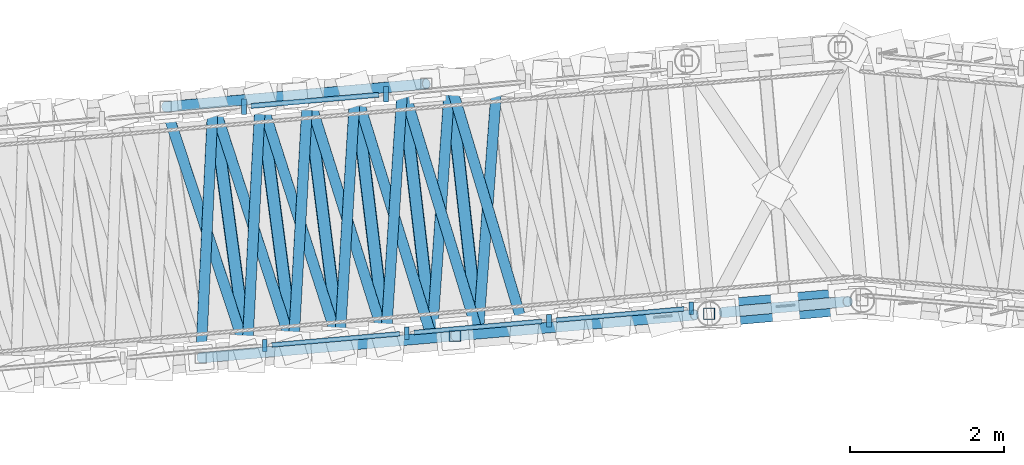
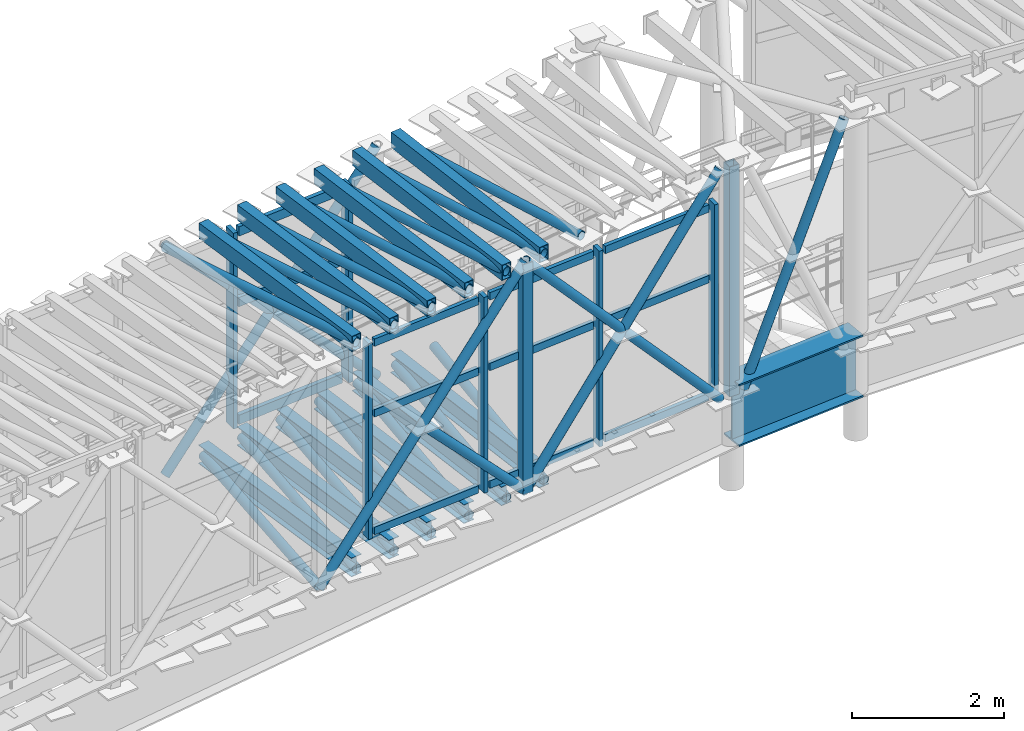
# One storey, part 53 of 144: 49 members, 7 beams, 2 elements without a shape of their own.
"""IFC4 building model written with IfcOpenShell, lengths in metres."""

from ifc_helpers import new_model, si_unit, direction, frame, origin, origin_2d, place, context, subcontext, project, spatial, rectangle, hollow_rectangle, hollow_circle, i_section, extrude, material, material_profile, profile_set, type_object, element, aggregate, save


model = new_model("IFC4")

# Units and contexts
model_context = context("Model", 3, precision=1e-05, world=origin(), true_north=direction((0.0, 1.0)))
body_context = subcontext(model_context, "Body", "Model", "MODEL_VIEW")
ifc_project = project(units=[si_unit("LENGTHUNIT", "METRE"), si_unit("AREAUNIT", "SQUARE_METRE"), si_unit("VOLUMEUNIT", "CUBIC_METRE"), si_unit("PLANEANGLEUNIT", "RADIAN"), si_unit("MASSUNIT", "GRAM", prefix="KILO")], contexts=[model_context])

# Site, building, storey
site_placement = place(None, origin())
site = spatial("IfcSite", under=ifc_project, at=site_placement, CompositionType="ELEMENT")
building_placement = place(site_placement, origin())
building = spatial("IfcBuilding", under=site, at=building_placement, Name="Cinderbank Siding Concert Hall", CompositionType="ELEMENT")
storey_placement = place(building_placement, frame((0.0, 0.0, 5.39990234375)))
storey = spatial("IfcBuildingStorey", under=building, at=storey_placement, Name="L02", CompositionType="ELEMENT", Elevation=5.39990234375)

# Beam
ifc_material_1 = material(Name="Structural steel welded plate section AS/NZS 3679.2 / AS/NZS 3678 Grade 350 (340 MPa)", Category="steel")
ifc_material_profile_1 = material_profile(ifc_material_1, i_section(OverallWidth=0.35009765625, OverallDepth=1.0, WebThickness=0.013916015625, FlangeThickness=0.02490234375, at=origin_2d()), Name="1000WB258", Category="LoadBearing")
ifc_profile_set_1 = profile_set([ifc_material_profile_1], Name="Structural steel welded plate section AS/NZS 3679.2 / AS/NZS 3678 Grade 350 (340 MPa)")
beam_type_1 = type_object("IfcBeamType", Name="BM-WB1000 1000WB258", PredefinedType="BEAM", material=ifc_profile_set_1)
beam_1_placement = place(storey_placement, frame((77.489013671875, 98.97412109375, 1.2001953125), z_axis=(0.996213967966, 0.086935205931, 0.0), x_axis=(-0.086935205931, 0.996213967966, 0.0)))
element("IfcBeam", 1, at=beam_1_placement, inside=storey, type_object=beam_type_1, Name="L02 Beam BM-WB1000 #1954", PredefinedType="BEAM", context=body_context, shape_type="SweptSolid", body=[
    extrude(i_section(OverallWidth=0.35009765625, OverallDepth=1.0, WebThickness=0.013916015625, FlangeThickness=0.02490234375, at=origin_2d()), origin(), (0.0, 0.0, 1.0), 1.99951171875),
])

# Members
ifc_material_2 = material(Name="Structural steel hollow section AS/NZS 1163 Grade C350L0 (350 MPa)", Category="steel")
ifc_material_profile_2 = material_profile(ifc_material_2, hollow_circle(Radius=0.06982421875, WallThickness=0.00634765625, at=origin_2d()), Name="139.7x6.4CHS", Category="LoadBearing")
ifc_profile_set_2 = profile_set([ifc_material_profile_2], Name="Structural steel hollow section AS/NZS 1163 Grade C350L0 (350 MPa)")
member_type_1 = type_object("IfcMemberType", Name="BR-CHS139 139.7x6.4CHS Roof Truss", PredefinedType="BRACE", material=ifc_profile_set_2)
member_1_placement = place(storey_placement, frame((70.42138671875, 101.66357421875, 0.989990234375), z_axis=(0.651113250965, 0.057350486563, 0.756810713527), x_axis=(-0.087740964064, 0.99614332464, 0.0)))
element("IfcMember", 2, at=member_1_placement, inside=storey, type_object=member_type_1, Name="L02 Diagonal Brace BR-CHS139 #BRDL-BR-CHS139-L02-0146", PredefinedType="BRACE", context=body_context, shape_type="SweptSolid", body=[
    extrude(hollow_circle(Radius=0.06982421875, WallThickness=0.00634765625, at=origin_2d()), origin(), (0.0, 0.0, 1.0), 5.206298828125),
])
for number, where, z_axis, x_axis, name in (
    (3, (70.42138671875, 101.66357421875, 4.690185546875), (0.698491083288, 0.061548199803, -0.712967057913), (-0.087775836735, 0.996140252417, 0.0), "L02 Diagonal Brace BR-CHS139 #BRDL-BR-CHS139-L02-0147"),
    (4, (72.126953125, 101.813720703125, 2.949462890625), (0.69843923657, 0.06155255194, -0.713017472556), (-0.087788461668, 0.996139139879, 0.0), "L02 Diagonal Brace BR-CHS139 #BRDL-BR-CHS139-L02-0147-S15"),
):
    element("IfcMember", number, at=place(storey_placement, frame(where, z_axis=z_axis, x_axis=x_axis)), inside=storey, type_object=member_type_1, Name=name, PredefinedType="BRACE", context=body_context, shape_type="SweptSolid", body=[
        extrude(hollow_circle(Radius=0.06982421875, WallThickness=0.00634765625, at=origin_2d()), origin(), (0.0, 0.0, 1.0), 2.41162109375),
    ])
member_2_placement = place(storey_placement, frame((70.8798828125, 98.39990234375, 0.989990234375), z_axis=(0.641614886758, 0.055743137325, 0.764998718778), x_axis=(-0.086553392654, 0.996247213406, 0.0)))
element("IfcMember", 5, at=member_2_placement, inside=storey, type_object=member_type_1, Name="L02 Diagonal Brace BR-CHS139 #BRDR-BR-CHS139-L02-0158", PredefinedType="BRACE", context=body_context, shape_type="SweptSolid", body=[
    extrude(hollow_circle(Radius=0.06982421875, WallThickness=0.00634765625, at=origin_2d()), origin(), (0.0, 0.0, 1.0), 5.150634765625),
])
member_3_placement = place(storey_placement, frame((72.54248046875, 98.54443359375, 2.94921875), z_axis=(0.68945680998, 0.059863630245, -0.721848774291), x_axis=(-0.086501782695, 0.996251695903, 0.0)))
element("IfcMember", 6, at=member_3_placement, inside=storey, type_object=member_type_1, Name="L02 Diagonal Brace BR-CHS139 #BRDR-BR-CHS139-L02-0159-S19", PredefinedType="BRACE", context=body_context, shape_type="SweptSolid", body=[
    extrude(hollow_circle(Radius=0.06982421875, WallThickness=0.00634765625, at=origin_2d()), origin(), (0.0, 0.0, 1.0), 2.3818359375),
])
member_4_placement = place(storey_placement, frame((74.1845703125, 98.68701171875, 1.22998046875), z_axis=(0.620626566739, 0.053891397801, 0.782252121698), x_axis=(-0.086508326761, 0.996251127679, 0.0)))
element("IfcMember", 7, at=member_4_placement, inside=storey, type_object=member_type_1, Name="L02 Diagonal Brace BR-CHS139 #BRDR-BR-CHS139-L02-0161", PredefinedType="BRACE", context=body_context, shape_type="SweptSolid", body=[
    extrude(hollow_circle(Radius=0.06982421875, WallThickness=0.00634765625, at=origin_2d()), origin(), (0.0, 0.0, 1.0), 5.01953125),
])
for number, where, z_axis, x_axis, name in (
    (8, (74.1845703125, 98.68701171875, 4.93017578125), (0.66650225833, 0.057828717792, -0.743256738308), (-0.086439721628, 0.996257082547, 0.0), "L02 Diagonal Brace BR-CHS139 #BRDR-BR-CHS139-L02-0162"),
    (9, (75.752197265625, 98.822998046875, 3.18212890625), (0.666498202154, 0.057933508343, -0.743252215023), (-0.086595707282, 0.99624353623, 0.0), "L02 Diagonal Brace BR-CHS139 #BRDR-BR-CHS139-L02-0162-S20"),
):
    element("IfcMember", number, at=place(storey_placement, frame(where, z_axis=z_axis, x_axis=x_axis)), inside=storey, type_object=member_type_1, Name=name, PredefinedType="BRACE", context=body_context, shape_type="SweptSolid", body=[
        extrude(hollow_circle(Radius=0.06982421875, WallThickness=0.00634765625, at=origin_2d()), origin(), (0.0, 0.0, 1.0), 2.322021484375),
    ])
member_5_placement = place(storey_placement, frame((70.8798828125, 98.39990234375, 1.02001953125), z_axis=(0.047550557932, 0.998782198302, 0.013155409382), x_axis=(-0.99886863654, 0.04755467313, 0.0)))
element("IfcMember", 10, at=member_5_placement, inside=storey, type_object=member_type_1, Name="L02 Diagonal Brace BR-CHS139 #BRST-BR-CHS139-L02-0195", PredefinedType="BRACE", context=body_context, shape_type="SweptSolid", body=[
    extrude(hollow_circle(Radius=0.06982421875, WallThickness=0.00634765625, at=origin_2d()), origin(), (0.0, 0.0, 1.0), 3.322021484375),
])
member_6_placement = place(storey_placement, frame((70.42138671875, 101.66357421875, 4.66015625), z_axis=(0.313233095213, -0.949589337275, 0.01284984811), x_axis=(0.949667744414, 0.313258958721, 0.0)))
element("IfcMember", 11, at=member_6_placement, inside=storey, type_object=member_type_1, Name="L02 Diagonal Brace BR-CHS139 #BRXR-BR-CHS139-L02-0196", PredefinedType="BRACE", context=body_context, shape_type="SweptSolid", body=[
    extrude(hollow_circle(Radius=0.06982421875, WallThickness=0.00634765625, at=origin_2d()), origin(), (0.0, 0.0, 1.0), 3.3818359375),
])
member_7_placement = place(storey_placement, frame((71.480712890625, 98.4521484375, 1.063720703125), z_axis=(0.052134204534, 0.998553587961, 0.013143693819), x_axis=(-0.998639852544, 0.052138708383, 0.0)))
element("IfcMember", 12, at=member_7_placement, inside=storey, type_object=member_type_1, Name="L02 Diagonal Brace BR-CHS139 #BRST-BR-CHS139-L02-0198", PredefinedType="BRACE", context=body_context, shape_type="SweptSolid", body=[
    extrude(hollow_circle(Radius=0.06982421875, WallThickness=0.00634765625, at=origin_2d()), origin(), (0.0, 0.0, 1.0), 3.324951171875),
])
member_8_placement = place(storey_placement, frame((71.037841796875, 101.7177734375, 4.70361328125), z_axis=(0.308887033284, -0.95101079113, 0.012933515546), x_axis=(0.951090341667, 0.308912871192, 0.0)))
element("IfcMember", 13, at=member_8_placement, inside=storey, type_object=member_type_1, Name="L02 Diagonal Brace BR-CHS139 #BRXR-BR-CHS139-L02-0199", PredefinedType="BRACE", context=body_context, shape_type="SweptSolid", body=[
    extrude(hollow_circle(Radius=0.06982421875, WallThickness=0.00634765625, at=origin_2d()), origin(), (0.0, 0.0, 1.0), 3.37890625),
])
member_9_placement = place(storey_placement, frame((72.08154296875, 98.50439453125, 1.107421875), z_axis=(0.056785841811, 0.998300968382, 0.013059276282), x_axis=(-0.99838610674, 0.056790684693, 0.0)))
element("IfcMember", 14, at=member_9_placement, inside=storey, type_object=member_type_1, Name="L02 Diagonal Brace BR-CHS139 #BRST-BR-CHS139-L02-0201", PredefinedType="BRACE", context=body_context, shape_type="SweptSolid", body=[
    extrude(hollow_circle(Radius=0.06982421875, WallThickness=0.00634765625, at=origin_2d()), origin(), (0.0, 0.0, 1.0), 3.32763671875),
])
member_10_placement = place(storey_placement, frame((71.654052734375, 101.772216796875, 4.747314453125), z_axis=(0.304616398211, -0.952387181874, 0.012942400968), x_axis=(0.952466957058, 0.304641913915, 0.0)))
element("IfcMember", 15, at=member_10_placement, inside=storey, type_object=member_type_1, Name="L02 Diagonal Brace BR-CHS139 #BRXR-BR-CHS139-L02-0202", PredefinedType="BRACE", context=body_context, shape_type="SweptSolid", body=[
    extrude(hollow_circle(Radius=0.06982421875, WallThickness=0.00634765625, at=origin_2d()), origin(), (0.0, 0.0, 1.0), 3.376708984375),
])
member_11_placement = place(storey_placement, frame((72.6826171875, 98.556396484375, 1.15087890625), z_axis=(0.061273195119, 0.998034806148, 0.013119499912), x_axis=(-0.99812070875, 0.06127846901, 0.0)))
element("IfcMember", 16, at=member_11_placement, inside=storey, type_object=member_type_1, Name="L02 Diagonal Brace BR-CHS139 #BRST-BR-CHS139-L02-0204", PredefinedType="BRACE", context=body_context, shape_type="SweptSolid", body=[
    extrude(hollow_circle(Radius=0.06982421875, WallThickness=0.00634765625, at=origin_2d()), origin(), (0.0, 0.0, 1.0), 3.3310546875),
])
member_12_placement = place(storey_placement, frame((72.2705078125, 101.826416015625, 4.791015625), z_axis=(0.300177767992, -0.953795318742, 0.012953669352), x_axis=(0.953875351072, 0.300202955709, 0.0)))
element("IfcMember", 17, at=member_12_placement, inside=storey, type_object=member_type_1, Name="L02 Diagonal Brace BR-CHS139 #BRXR-BR-CHS139-L02-0205", PredefinedType="BRACE", context=body_context, shape_type="SweptSolid", body=[
    extrude(hollow_circle(Radius=0.06982421875, WallThickness=0.00634765625, at=origin_2d()), origin(), (0.0, 0.0, 1.0), 3.37353515625),
])
member_13_placement = place(storey_placement, frame((73.283203125, 98.608642578125, 1.194580078125), z_axis=(0.065978655172, 0.997734935313, 0.013107857132), x_axis=(-0.997820659732, 0.065984323994, 0.0)))
element("IfcMember", 18, at=member_13_placement, inside=storey, type_object=member_type_1, Name="L02 Diagonal Brace BR-CHS139 #BRST-BR-CHS139-L02-0207", PredefinedType="BRACE", context=body_context, shape_type="SweptSolid", body=[
    extrude(hollow_circle(Radius=0.06982421875, WallThickness=0.00634765625, at=origin_2d()), origin(), (0.0, 0.0, 1.0), 3.333984375),
])
member_14_placement = place(storey_placement, frame((72.88671875, 101.880859375, 4.834716796875), z_axis=(0.29583668766, -0.955150568799, 0.012963223278), x_axis=(0.955230833129, 0.295861547754, 0.0)))
element("IfcMember", 19, at=member_14_placement, inside=storey, type_object=member_type_1, Name="L02 Diagonal Brace BR-CHS139 #BRXR-BR-CHS139-L02-0208", PredefinedType="BRACE", context=body_context, shape_type="SweptSolid", body=[
    extrude(hollow_circle(Radius=0.06982421875, WallThickness=0.00634765625, at=origin_2d()), origin(), (0.0, 0.0, 1.0), 3.37109375),
])
member_15_placement = place(storey_placement, frame((73.884033203125, 98.660888671875, 1.23828125), z_axis=(0.070523462825, 0.997424161984, 0.013095124321), x_axis=(-0.99750969327, 0.070529510365, 0.0)))
element("IfcMember", 20, at=member_15_placement, inside=storey, type_object=member_type_1, Name="L02 Diagonal Brace BR-CHS139 #BRST-BR-CHS139-L02-0210", PredefinedType="BRACE", context=body_context, shape_type="SweptSolid", body=[
    extrude(hollow_circle(Radius=0.06982421875, WallThickness=0.00634765625, at=origin_2d()), origin(), (0.0, 0.0, 1.0), 3.337158203125),
])
member_16_placement = place(storey_placement, frame((73.503173828125, 101.93505859375, 4.87841796875), z_axis=(0.291437316675, -0.956502926674, 0.012901229139), x_axis=(0.956582537605, 0.291461573366, 0.0)))
element("IfcMember", 21, at=member_16_placement, inside=storey, type_object=member_type_1, Name="L02 Diagonal Brace BR-CHS139 #BRXR-BR-CHS139-L02-0211", PredefinedType="BRACE", context=body_context, shape_type="SweptSolid", body=[
    extrude(hollow_circle(Radius=0.06982421875, WallThickness=0.00634765625, at=origin_2d()), origin(), (0.0, 0.0, 1.0), 3.368408203125),
])
member_17_placement = place(storey_placement, frame((74.48486328125, 98.713134765625, 1.281982421875), z_axis=(0.075063366481, 0.997092936258, 0.013083098929), x_axis=(-0.997178282156, 0.07506979151, 0.0)))
element("IfcMember", 22, at=member_17_placement, inside=storey, type_object=member_type_1, Name="L02 Diagonal Brace BR-CHS139 #BRST-BR-CHS139-L02-0213", PredefinedType="BRACE", context=body_context, shape_type="SweptSolid", body=[
    extrude(hollow_circle(Radius=0.06982421875, WallThickness=0.00634765625, at=origin_2d()), origin(), (0.0, 0.0, 1.0), 3.34033203125),
])
member_18_placement = place(storey_placement, frame((74.119384765625, 101.989501953125, 4.921875), z_axis=(0.287070803784, -0.957821383218, 0.01298273721), x_axis=(0.957902114522, 0.287094999945, 0.0)))
element("IfcMember", 23, at=member_18_placement, inside=storey, type_object=member_type_1, Name="L02 Diagonal Brace BR-CHS139 #BRXR-BR-CHS139-L02-0214", PredefinedType="BRACE", context=body_context, shape_type="SweptSolid", body=[
    extrude(hollow_circle(Radius=0.06982421875, WallThickness=0.00634765625, at=origin_2d()), origin(), (0.0, 0.0, 1.0), 3.3662109375),
])
member_19_placement = place(storey_placement, frame((77.67822265625, 98.990478515625, 1.47021484375), z_axis=(0.399492541286, 0.034938218923, 0.916070428687), x_axis=(-0.087123943597, 0.996197479645, 0.0)))
element("IfcMember", 24, at=member_19_placement, inside=storey, type_object=member_type_1, Name="L02 Diagonal Brace BR-CHS139 #BRDR-BR-CHS139-L02-0232", PredefinedType="BRACE", context=body_context, shape_type="SweptSolid", body=[
    extrude(hollow_circle(Radius=0.06982421875, WallThickness=0.00634765625, at=origin_2d()), origin(), (0.0, 0.0, 1.0), 4.038818359375),
])
ifc_material_profile_3 = material_profile(ifc_material_2, hollow_rectangle(XDim=0.14990234375, YDim=0.14990234375, WallThickness=0.008056640625, at=origin_2d()), Name="150x150x8.0SHS", Category="LoadBearing")
ifc_profile_set_3 = profile_set([ifc_material_profile_3], Name="Structural steel hollow section AS/NZS 1163 Grade C350L0 (350 MPa)")
member_type_2 = type_object("IfcMemberType", Name="BR-SHS150 150x150x8.0SHS Roof Truss", PredefinedType="BRACE", material=ifc_profile_set_3)
member_20_placement = place(storey_placement, frame((74.1845703125, 98.68701171875, 1.22998046875), z_axis=(0.0, 0.0, 1.0), x_axis=(1.0, 0.0, 0.0)))
element("IfcMember", 25, at=member_20_placement, inside=storey, type_object=member_type_2, Name="L02 Diagonal Brace BR-SHS150 #BRVR-BR-SHS150-L02-0160", PredefinedType="BRACE", context=body_context, shape_type="SweptSolid", body=[
    extrude(hollow_rectangle(XDim=0.14990234375, YDim=0.14990234375, WallThickness=0.008056640625, at=origin_2d()), origin(), (0.0, 0.0, 1.0), 3.7001953125),
])
member_21_placement = place(storey_placement, frame((77.489013671875, 98.97412109375, 1.47021484375), z_axis=(0.0, 0.0, 1.0), x_axis=(1.0, 0.0, 0.0)))
element("IfcMember", 26, at=member_21_placement, inside=storey, type_object=member_type_2, Name="L02 Diagonal Brace BR-SHS150 #BRVR-BR-SHS150-L02-0231", PredefinedType="BRACE", context=body_context, shape_type="SweptSolid", body=[
    extrude(hollow_rectangle(XDim=0.14990234375, YDim=0.14990234375, WallThickness=0.008056640625, at=origin_2d()), origin(), (0.0, 0.0, 1.0), 3.699951171875),
])

# Curtain wall, members
ifc_material_3 = material(Name="Anodised aluminium alloy 6063-T6", Category="aluminium")
curtain_wall_type = type_object("IfcCurtainWallType", Name="CW-15 Unitised Acoustic Curtain Wall 12800x3200", PredefinedType="NOTDEFINED", material=ifc_material_3)
curtain_wall_1_placement = place(storey_placement, origin())
curtain_wall_1 = element("IfcCurtainWall", 27, at=curtain_wall_1_placement, inside=storey, type_object=curtain_wall_type, Name="L02 Curtain Wall CW-15 #156", PredefinedType="NOTDEFINED")
ifc_material_profile_4 = material_profile(ifc_material_3, rectangle(XDim=0.06005859375, YDim=0.159912109375, at=origin_2d()), Name="ALU-MULL-60x160", Category="LoadBearing")
ifc_profile_set_4 = profile_set([ifc_material_profile_4], Name="Anodised aluminium alloy 6063-T6")
member_type_3 = type_object("IfcMemberType", Name="CW-ML1 Mullion 60x160", PredefinedType="MULLION", material=ifc_profile_set_4)
member_22_placement = place(storey_placement, frame((71.7109375, 98.55859375, 1.440185546875), z_axis=(0.0, 0.0, 1.0), x_axis=(1.0, 0.0, 0.0)))
member_22 = element("IfcMember", 28, at=member_22_placement, type_object=member_type_3, Name="CW-L02-156 Mullion 4", PredefinedType="MULLION", context=body_context, shape_type="SweptSolid", body=[
    extrude(rectangle(XDim=0.06005859375, YDim=0.159912109375, at=origin_2d()), origin(), (0.0, 0.0, 1.0), 3.14990234375),
])
member_23_placement = place(storey_placement, frame((73.55908203125, 98.72021484375, 1.440185546875), z_axis=(0.0, 0.0, 1.0), x_axis=(1.0, 0.0, 0.0)))
member_23 = element("IfcMember", 29, at=member_23_placement, type_object=member_type_3, Name="CW-L02-156 Mullion 5", PredefinedType="MULLION", context=body_context, shape_type="SweptSolid", body=[
    extrude(rectangle(XDim=0.06005859375, YDim=0.159912109375, at=origin_2d()), origin(), (0.0, 0.0, 1.0), 3.14990234375),
])
member_24_placement = place(storey_placement, frame((75.406982421875, 98.882080078125, 1.440185546875), z_axis=(0.0, 0.0, 1.0), x_axis=(1.0, 0.0, 0.0)))
member_24 = element("IfcMember", 30, at=member_24_placement, type_object=member_type_3, Name="CW-L02-156 Mullion 6", PredefinedType="MULLION", context=body_context, shape_type="SweptSolid", body=[
    extrude(rectangle(XDim=0.06005859375, YDim=0.159912109375, at=origin_2d()), origin(), (0.0, 0.0, 1.0), 3.14990234375),
])
member_25_placement = place(storey_placement, frame((77.255126953125, 99.043701171875, 1.440185546875), z_axis=(0.0, 0.0, 1.0), x_axis=(1.0, 0.0, 0.0)))
member_25 = element("IfcMember", 31, at=member_25_placement, type_object=member_type_3, Name="CW-L02-156 Mullion 7", PredefinedType="MULLION", context=body_context, shape_type="SweptSolid", body=[
    extrude(rectangle(XDim=0.06005859375, YDim=0.159912109375, at=origin_2d()), origin(), (0.0, 0.0, 1.0), 3.14990234375),
])

curtain_wall_2_placement = place(storey_placement, origin())
curtain_wall_2 = element("IfcCurtainWall", 32, at=curtain_wall_2_placement, inside=storey, type_object=curtain_wall_type, Name="L02 Curtain Wall CW-15 #155", PredefinedType="NOTDEFINED")
ifc_material_profile_5 = material_profile(ifc_material_3, rectangle(XDim=0.06494140625, YDim=0.199951171875, at=origin_2d()), Name="ALU-MULL-65x200", Category="LoadBearing")
ifc_profile_set_5 = profile_set([ifc_material_profile_5], Name="Anodised aluminium alloy 6063-T6")
member_type_4 = type_object("IfcMemberType", Name="CW-ML2 Mullion 65x200", PredefinedType="MULLION", material=ifc_profile_set_5)
member_26_placement = place(storey_placement, frame((71.43896484375, 101.666748046875, 1.440185546875), z_axis=(0.0, 0.0, 1.0), x_axis=(1.0, 0.0, 0.0)))
member_26 = element("IfcMember", 33, at=member_26_placement, type_object=member_type_4, Name="CW-L02-155 Mullion 4", PredefinedType="MULLION", context=body_context, shape_type="SweptSolid", body=[
    extrude(rectangle(XDim=0.06494140625, YDim=0.199951171875, at=origin_2d()), origin(), (0.0, 0.0, 1.0), 3.14990234375),
])
member_27_placement = place(storey_placement, frame((73.287109375, 101.828369140625, 1.440185546875), z_axis=(0.0, 0.0, 1.0), x_axis=(1.0, 0.0, 0.0)))
member_27 = element("IfcMember", 34, at=member_27_placement, type_object=member_type_4, Name="CW-L02-155 Mullion 5", PredefinedType="MULLION", context=body_context, shape_type="SweptSolid", body=[
    extrude(rectangle(XDim=0.06494140625, YDim=0.199951171875, at=origin_2d()), origin(), (0.0, 0.0, 1.0), 3.14990234375),
])

# Member
ifc_material_profile_6 = material_profile(ifc_material_3, rectangle(XDim=0.06005859375, YDim=0.1201171875, at=origin_2d()), Name="ALU-TRAN-60x120", Category="LoadBearing")
ifc_profile_set_6 = profile_set([ifc_material_profile_6], Name="Anodised aluminium alloy 6063-T6")
member_type_5 = type_object("IfcMemberType", Name="CW-TR1 Transom 60x120", PredefinedType="USERDEFINED", material=ifc_profile_set_6)
member_28_placement = place(storey_placement, frame((71.80322265625, 98.566650390625, 1.5), z_axis=(0.996195463137, 0.087146997803, 0.0), x_axis=(-0.087146997803, 0.996195463137, 0.0)))
member_28 = element("IfcMember", 35, at=member_28_placement, type_object=member_type_5, Name="CW-L02-156 Transom 4-0", ObjectType="TRANSOM", PredefinedType="USERDEFINED", context=body_context, shape_type="SweptSolid", body=[
    extrude(rectangle(XDim=0.06005859375, YDim=0.1201171875, at=origin_2d()), origin(), (0.0, 0.0, 1.0), 1.669677734375),
])

member_29_placement = place(storey_placement, frame((71.80322265625, 98.566650390625, 3.39306640625), z_axis=(0.996195463137, 0.087146997803, 0.0), x_axis=(-0.087146997803, 0.996195463137, 0.0)))
member_29 = element("IfcMember", 36, at=member_29_placement, type_object=member_type_5, Name="CW-L02-156 Transom 4-1", ObjectType="TRANSOM", PredefinedType="USERDEFINED", context=body_context, shape_type="SweptSolid", body=[
    extrude(rectangle(XDim=0.06005859375, YDim=0.1201171875, at=origin_2d()), origin(), (0.0, 0.0, 1.0), 1.669677734375),
])

member_30_placement = place(storey_placement, frame((71.80322265625, 98.566650390625, 4.530029296875), z_axis=(0.996195463137, 0.087146997803, 0.0), x_axis=(-0.087146997803, 0.996195463137, 0.0)))
member_30 = element("IfcMember", 37, at=member_30_placement, type_object=member_type_5, Name="CW-L02-156 Transom 4-2", ObjectType="TRANSOM", PredefinedType="USERDEFINED", context=body_context, shape_type="SweptSolid", body=[
    extrude(rectangle(XDim=0.06005859375, YDim=0.1201171875, at=origin_2d()), origin(), (0.0, 0.0, 1.0), 1.669677734375),
])

member_31_placement = place(storey_placement, frame((73.6513671875, 98.728515625, 1.5), z_axis=(0.996208146866, 0.087001885716, 0.0), x_axis=(-0.087001885716, 0.996208146866, 0.0)))
member_31 = element("IfcMember", 38, at=member_31_placement, type_object=member_type_5, Name="CW-L02-156 Transom 5-0", ObjectType="TRANSOM", PredefinedType="USERDEFINED", context=body_context, shape_type="SweptSolid", body=[
    extrude(rectangle(XDim=0.06005859375, YDim=0.1201171875, at=origin_2d()), origin(), (0.0, 0.0, 1.0), 1.669677734375),
])

member_32_placement = place(storey_placement, frame((73.6513671875, 98.728515625, 3.39306640625), z_axis=(0.996208146866, 0.087001885716, 0.0), x_axis=(-0.087001885716, 0.996208146866, 0.0)))
member_32 = element("IfcMember", 39, at=member_32_placement, type_object=member_type_5, Name="CW-L02-156 Transom 5-1", ObjectType="TRANSOM", PredefinedType="USERDEFINED", context=body_context, shape_type="SweptSolid", body=[
    extrude(rectangle(XDim=0.06005859375, YDim=0.1201171875, at=origin_2d()), origin(), (0.0, 0.0, 1.0), 1.669677734375),
])

member_33_placement = place(storey_placement, frame((73.6513671875, 98.728515625, 4.530029296875), z_axis=(0.996208146866, 0.087001885716, 0.0), x_axis=(-0.087001885716, 0.996208146866, 0.0)))
member_33 = element("IfcMember", 40, at=member_33_placement, type_object=member_type_5, Name="CW-L02-156 Transom 5-2", ObjectType="TRANSOM", PredefinedType="USERDEFINED", context=body_context, shape_type="SweptSolid", body=[
    extrude(rectangle(XDim=0.06005859375, YDim=0.1201171875, at=origin_2d()), origin(), (0.0, 0.0, 1.0), 1.669677734375),
])

member_34_placement = place(storey_placement, frame((75.49951171875, 98.889892578125, 1.5), z_axis=(0.996182758594, 0.087292104342, 0.0), x_axis=(-0.087292104342, 0.996182758594, 0.0)))
member_34 = element("IfcMember", 41, at=member_34_placement, type_object=member_type_5, Name="CW-L02-156 Transom 6-0", ObjectType="TRANSOM", PredefinedType="USERDEFINED", context=body_context, shape_type="SweptSolid", body=[
    extrude(rectangle(XDim=0.06005859375, YDim=0.1201171875, at=origin_2d()), origin(), (0.0, 0.0, 1.0), 1.669677734375),
])

member_35_placement = place(storey_placement, frame((75.49951171875, 98.889892578125, 3.39306640625), z_axis=(0.996182758594, 0.087292104342, 0.0), x_axis=(-0.087292104342, 0.996182758594, 0.0)))
member_35 = element("IfcMember", 42, at=member_35_placement, type_object=member_type_5, Name="CW-L02-156 Transom 6-1", ObjectType="TRANSOM", PredefinedType="USERDEFINED", context=body_context, shape_type="SweptSolid", body=[
    extrude(rectangle(XDim=0.06005859375, YDim=0.1201171875, at=origin_2d()), origin(), (0.0, 0.0, 1.0), 1.669677734375),
])

member_36_placement = place(storey_placement, frame((75.49951171875, 98.889892578125, 4.530029296875), z_axis=(0.996182758594, 0.087292104342, 0.0), x_axis=(-0.087292104342, 0.996182758594, 0.0)))
member_36 = element("IfcMember", 43, at=member_36_placement, type_object=member_type_5, Name="CW-L02-156 Transom 6-2", ObjectType="TRANSOM", PredefinedType="USERDEFINED", context=body_context, shape_type="SweptSolid", body=[
    extrude(rectangle(XDim=0.06005859375, YDim=0.1201171875, at=origin_2d()), origin(), (0.0, 0.0, 1.0), 1.669677734375),
])

aggregate(curtain_wall_1, [member_22, member_23, member_24, member_25, member_28, member_29, member_30, member_31, member_32, member_33, member_34, member_35, member_36])

ifc_material_profile_7 = material_profile(ifc_material_3, rectangle(XDim=0.06494140625, YDim=0.14990234375, at=origin_2d()), Name="ALU-TRAN-65x150", Category="LoadBearing")
ifc_profile_set_7 = profile_set([ifc_material_profile_7], Name="Anodised aluminium alloy 6063-T6")
member_type_6 = type_object("IfcMemberType", Name="CW-TR2 Transom 65x150", PredefinedType="USERDEFINED", material=ifc_profile_set_7)
member_37_placement = place(storey_placement, frame((71.53125, 101.6748046875, 1.5), z_axis=(0.996195463137, 0.087146997803, 0.0), x_axis=(-0.087146997803, 0.996195463137, 0.0)))
member_37 = element("IfcMember", 44, at=member_37_placement, type_object=member_type_6, Name="CW-L02-155 Transom 4-0", ObjectType="TRANSOM", PredefinedType="USERDEFINED", context=body_context, shape_type="SweptSolid", body=[
    extrude(rectangle(XDim=0.06494140625, YDim=0.14990234375, at=origin_2d()), origin(), (0.0, 0.0, 1.0), 1.669677734375),
])

member_38_placement = place(storey_placement, frame((71.53125, 101.6748046875, 3.39306640625), z_axis=(0.996195463137, 0.087146997803, 0.0), x_axis=(-0.087146997803, 0.996195463137, 0.0)))
member_38 = element("IfcMember", 45, at=member_38_placement, type_object=member_type_6, Name="CW-L02-155 Transom 4-1", ObjectType="TRANSOM", PredefinedType="USERDEFINED", context=body_context, shape_type="SweptSolid", body=[
    extrude(rectangle(XDim=0.06494140625, YDim=0.14990234375, at=origin_2d()), origin(), (0.0, 0.0, 1.0), 1.669677734375),
])

member_39_placement = place(storey_placement, frame((71.53125, 101.6748046875, 4.530029296875), z_axis=(0.996195463137, 0.087146997803, 0.0), x_axis=(-0.087146997803, 0.996195463137, 0.0)))
member_39 = element("IfcMember", 46, at=member_39_placement, type_object=member_type_6, Name="CW-L02-155 Transom 4-2", ObjectType="TRANSOM", PredefinedType="USERDEFINED", context=body_context, shape_type="SweptSolid", body=[
    extrude(rectangle(XDim=0.06494140625, YDim=0.14990234375, at=origin_2d()), origin(), (0.0, 0.0, 1.0), 1.669677734375),
])

aggregate(curtain_wall_2, [member_26, member_27, member_37, member_38, member_39])

# Beams
ifc_material_4 = material(Name="Structural steel AS/NZS 3679.1 Grade 350 (340 MPa)", Category="steel")
ifc_material_profile_8 = material_profile(ifc_material_4, i_section(OverallWidth=0.1650390625, OverallDepth=0.303955078125, WebThickness=0.006103515625, FlangeThickness=0.01025390625, at=origin_2d()), Name="310UB40.4", Category="LoadBearing")
ifc_profile_set_8 = profile_set([ifc_material_profile_8], Name="Structural steel AS/NZS 3679.1 Grade 350 (340 MPa)")
beam_type_2 = type_object("IfcBeamType", Name="JS-UB310 310UB40.4", PredefinedType="JOIST", material=ifc_profile_set_8)
beam_2_placement = place(storey_placement, frame((71.480712890625, 98.4521484375, 1.11181640625), z_axis=(-0.134385866378, 0.990929078652, 0.0), x_axis=(-0.990929078652, -0.134385866378, 0.0)))
element("IfcBeam", 47, at=beam_2_placement, inside=storey, type_object=beam_type_2, Name="L02 Beam JS-UB310 #1942", PredefinedType="JOIST", context=body_context, shape_type="SweptSolid", body=[
    extrude(i_section(OverallWidth=0.1650390625, OverallDepth=0.303955078125, WebThickness=0.006103515625, FlangeThickness=0.01025390625, at=origin_2d()), origin(), (0.0, 0.0, 1.0), 3.29541015625),
])
beam_3_placement = place(storey_placement, frame((72.08154296875, 98.50439453125, 1.155517578125), z_axis=(-0.129712876098, 0.991551597132, 0.0), x_axis=(-0.991551597132, -0.129712876098, 0.0)))
element("IfcBeam", 48, at=beam_3_placement, inside=storey, type_object=beam_type_2, Name="L02 Beam JS-UB310 #1943", PredefinedType="JOIST", context=body_context, shape_type="SweptSolid", body=[
    extrude(i_section(OverallWidth=0.1650390625, OverallDepth=0.303955078125, WebThickness=0.006103515625, FlangeThickness=0.01025390625, at=origin_2d()), origin(), (0.0, 0.0, 1.0), 3.295654296875),
])
beam_4_placement = place(storey_placement, frame((72.6826171875, 98.556396484375, 1.198974609375), z_axis=(-0.125037524153, 0.99215201333, 0.0), x_axis=(-0.99215201333, -0.125037524153, 0.0)))
element("IfcBeam", 49, at=beam_4_placement, inside=storey, type_object=beam_type_2, Name="L02 Beam JS-UB310 #1944", PredefinedType="JOIST", context=body_context, shape_type="SweptSolid", body=[
    extrude(i_section(OverallWidth=0.1650390625, OverallDepth=0.303955078125, WebThickness=0.006103515625, FlangeThickness=0.01025390625, at=origin_2d()), origin(), (0.0, 0.0, 1.0), 3.2958984375),
])
for number, where, z_axis, x_axis, name in (
    (50, (73.283203125, 98.608642578125, 1.24267578125), (-0.120287127434, 0.992739143468, 0.0), (-0.992739143468, -0.120287127434, 0.0), "L02 Beam JS-UB310 #1945"),
    (51, (73.884033203125, 98.660888671875, 1.286376953125), (-0.115543345377, 0.993302439008, 0.0), (-0.993302439008, -0.115543345377, 0.0), "L02 Beam JS-UB310 #1946"),
):
    element("IfcBeam", number, at=place(storey_placement, frame(where, z_axis=z_axis, x_axis=x_axis)), inside=storey, type_object=beam_type_2, Name=name, PredefinedType="JOIST", context=body_context, shape_type="SweptSolid", body=[
        extrude(i_section(OverallWidth=0.1650390625, OverallDepth=0.303955078125, WebThickness=0.006103515625, FlangeThickness=0.01025390625, at=origin_2d()), origin(), (0.0, 0.0, 1.0), 3.296142578125),
    ])
beam_5_placement = place(storey_placement, frame((74.48486328125, 98.713134765625, 1.329833984375), z_axis=(-0.110862306717, 0.993835775644, 0.0), x_axis=(-0.993835775644, -0.110862306717, 0.0)))
element("IfcBeam", 52, at=beam_5_placement, inside=storey, type_object=beam_type_2, Name="L02 Beam JS-UB310 #1947", PredefinedType="JOIST", context=body_context, shape_type="SweptSolid", body=[
    extrude(i_section(OverallWidth=0.1650390625, OverallDepth=0.303955078125, WebThickness=0.006103515625, FlangeThickness=0.01025390625, at=origin_2d()), origin(), (0.0, 0.0, 1.0), 3.296630859375),
])

# Members
ifc_material_profile_9 = material_profile(ifc_material_2, hollow_rectangle(XDim=0.14990234375, YDim=0.25, WallThickness=0.009033203125, at=origin_2d()), Name="250x150x9.0RHS", Category="LoadBearing")
ifc_profile_set_9 = profile_set([ifc_material_profile_9], Name="Structural steel hollow section AS/NZS 1163 Grade C350L0 (350 MPa)")
member_type_7 = type_object("IfcMemberType", Name="PR-RHS250 250x150x9.0RHS Roof Truss", PredefinedType="PURLIN", material=ifc_profile_set_9)
member_40_placement = place(storey_placement, frame((71.480712890625, 98.4521484375, 4.70361328125), z_axis=(-0.134385866378, 0.990929078652, 0.0), x_axis=(-0.990929078652, -0.134385866378, 0.0)))
element("IfcMember", 53, at=member_40_placement, inside=storey, type_object=member_type_7, Name="L02 Roof Truss Member PR-RHS250 #194", PredefinedType="PURLIN", context=body_context, shape_type="SweptSolid", body=[
    extrude(hollow_rectangle(XDim=0.14990234375, YDim=0.25, WallThickness=0.009033203125, at=origin_2d()), origin(), (0.0, 0.0, 1.0), 3.29541015625),
])
member_41_placement = place(storey_placement, frame((72.08154296875, 98.50439453125, 4.747314453125), z_axis=(-0.129712876098, 0.991551597132, 0.0), x_axis=(-0.991551597132, -0.129712876098, 0.0)))
element("IfcMember", 54, at=member_41_placement, inside=storey, type_object=member_type_7, Name="L02 Roof Truss Member PR-RHS250 #197", PredefinedType="PURLIN", context=body_context, shape_type="SweptSolid", body=[
    extrude(hollow_rectangle(XDim=0.14990234375, YDim=0.25, WallThickness=0.009033203125, at=origin_2d()), origin(), (0.0, 0.0, 1.0), 3.295654296875),
])
member_42_placement = place(storey_placement, frame((72.6826171875, 98.556396484375, 4.791015625), z_axis=(-0.125037524153, 0.99215201333, 0.0), x_axis=(-0.99215201333, -0.125037524153, 0.0)))
element("IfcMember", 55, at=member_42_placement, inside=storey, type_object=member_type_7, Name="L02 Roof Truss Member PR-RHS250 #200", PredefinedType="PURLIN", context=body_context, shape_type="SweptSolid", body=[
    extrude(hollow_rectangle(XDim=0.14990234375, YDim=0.25, WallThickness=0.009033203125, at=origin_2d()), origin(), (0.0, 0.0, 1.0), 3.2958984375),
])
for number, where, z_axis, x_axis, name in (
    (56, (73.283203125, 98.608642578125, 4.834716796875), (-0.120287127434, 0.992739143468, 0.0), (-0.992739143468, -0.120287127434, 0.0), "L02 Roof Truss Member PR-RHS250 #203"),
    (57, (73.884033203125, 98.660888671875, 4.87841796875), (-0.115543345377, 0.993302439008, 0.0), (-0.993302439008, -0.115543345377, 0.0), "L02 Roof Truss Member PR-RHS250 #206"),
):
    element("IfcMember", number, at=place(storey_placement, frame(where, z_axis=z_axis, x_axis=x_axis)), inside=storey, type_object=member_type_7, Name=name, PredefinedType="PURLIN", context=body_context, shape_type="SweptSolid", body=[
        extrude(hollow_rectangle(XDim=0.14990234375, YDim=0.25, WallThickness=0.009033203125, at=origin_2d()), origin(), (0.0, 0.0, 1.0), 3.296142578125),
    ])
member_43_placement = place(storey_placement, frame((74.48486328125, 98.713134765625, 4.921875), z_axis=(-0.110862306717, 0.993835775644, 0.0), x_axis=(-0.993835775644, -0.110862306717, 0.0)))
element("IfcMember", 58, at=member_43_placement, inside=storey, type_object=member_type_7, Name="L02 Roof Truss Member PR-RHS250 #209", PredefinedType="PURLIN", context=body_context, shape_type="SweptSolid", body=[
    extrude(hollow_rectangle(XDim=0.14990234375, YDim=0.25, WallThickness=0.009033203125, at=origin_2d()), origin(), (0.0, 0.0, 1.0), 3.296630859375),
])

save(model, "model.ifc")
